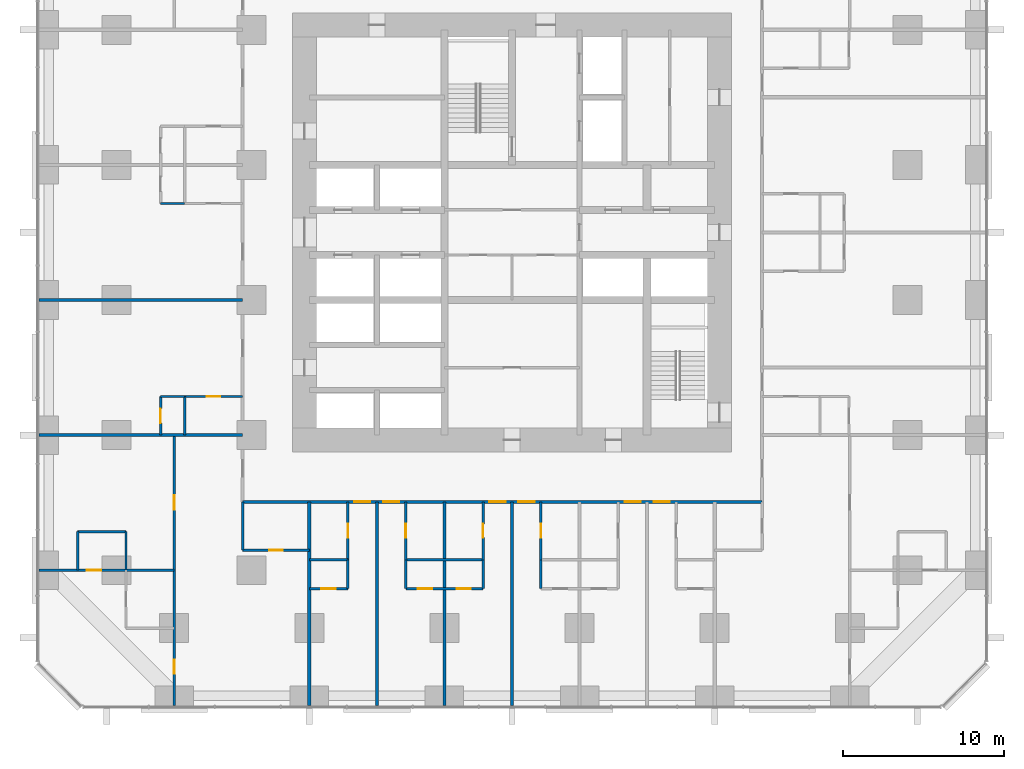
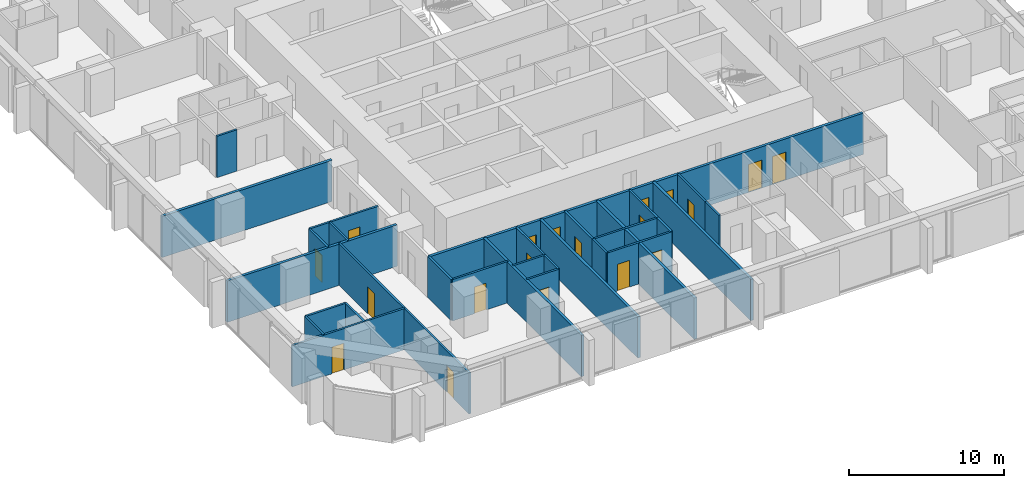
# One storey, part 11 of 17: 31 walls, 19 doors, 19 openings.
"""IFC4 building model written with IfcOpenShell, lengths in metres."""

import ifcopenshell
import ifcopenshell.guid

model = None  # the IFC model being written
_history = None  # IfcOwnerHistory: only IFC2X3 demands one
_inside = {}  # id of a spatial element -> (the spatial element, [elements in it])
_under = {}  # id of a project, library or spatial element -> (it, [spatial elements below it])
_declared = {}  # id of a project -> (the project, [libraries it declares])
_typed = {}  # id of a type object -> (the type object, [elements of that type])
_made_of = {}  # id of a material, layer set ... -> (it, [elements and type objects made of it])


def new_model(schema):
    """Start an empty IFC model of exactly this schema.

    Asked for "IFC4X3", IfcOpenShell would pick the latest addendum, in which some entities
    have other attributes; the version numbers below select the first issue.
    IFC2X3 requires an IfcOwnerHistory on every rooted entity: one is made here for all.
    """
    global model, _history
    if schema == "IFC4X3":
        model = ifcopenshell.file(schema_version=(4, 3, 0, 0))
    else:
        model = ifcopenshell.file(schema=schema)
    _inside.clear()
    _under.clear()
    _declared.clear()
    _typed.clear()
    _made_of.clear()
    _history = None
    if model.schema == "IFC2X3":
        org = make("IfcOrganization", Name="unknown")
        user = make(
            "IfcPersonAndOrganization",
            ThePerson=make("IfcPerson", FamilyName="unknown"),
            TheOrganization=org,
        )
        app = make(
            "IfcApplication",
            ApplicationDeveloper=org,
            Version="unknown",
            ApplicationFullName="unknown",
            ApplicationIdentifier="unknown",
        )
        _history = make(
            "IfcOwnerHistory",
            OwningUser=user,
            OwningApplication=app,
            ChangeAction="ADDED",
            CreationDate=0,
        )
    return model


def make(cls, **values):
    """One entity of the class cls with the attributes given. An attribute that is None is left unset."""
    return model.create_entity(
        cls, **{name: value for name, value in values.items() if value is not None}
    )


def rooted(cls, **values):
    """An entity with a GlobalId (a new one), such as an element, a storey or a relation."""
    return make(cls, GlobalId=ifcopenshell.guid.new(), OwnerHistory=_history, **values)


def si_unit(unit_type, name, prefix=None):
    """IfcSIUnit, for example si_unit("LENGTHUNIT", "METRE", prefix="MILLI")."""
    return make("IfcSIUnit", UnitType=unit_type, Prefix=prefix, Name=name)


def assignment(units):
    """IfcUnitAssignment: the units of a project."""
    return None if units is None else make("IfcUnitAssignment", Units=units)


def point(xyz):
    """IfcCartesianPoint."""
    return None if xyz is None else make("IfcCartesianPoint", Coordinates=xyz)


def direction(xyz):
    """IfcDirection."""
    return None if xyz is None else make("IfcDirection", DirectionRatios=xyz)


def frame(location, z_axis=None, x_axis=None):
    """IfcAxis2Placement3D, a coordinate frame: its origin and axes. An axis left out is left unset."""
    return make(
        "IfcAxis2Placement3D",
        Location=point(location),
        Axis=direction(z_axis),
        RefDirection=direction(x_axis),
    )


def frame_2d(location, x_axis=None):
    """IfcAxis2Placement2D, a coordinate frame in the plane: its origin and x axis."""
    return make(
        "IfcAxis2Placement2D", Location=point(location), RefDirection=direction(x_axis)
    )


def origin():
    """The frame at (0, 0, 0) with its axes left unset."""
    return frame((0.0, 0.0, 0.0))


def place(relative_to, where):
    """IfcLocalPlacement: puts the frame where relative to a parent placement (None: the world)."""
    return make(
        "IfcLocalPlacement", PlacementRelTo=relative_to, RelativePlacement=where
    )


def context(
    kind, dimensions, precision=None, world=None, true_north=None, identifier=None
):
    """IfcGeometricRepresentationContext, for example the 3D "Model" context."""
    return make(
        "IfcGeometricRepresentationContext",
        ContextIdentifier=identifier,
        ContextType=kind,
        CoordinateSpaceDimension=dimensions,
        Precision=precision,
        WorldCoordinateSystem=world,
        TrueNorth=true_north,
    )


def subcontext(parent, identifier, kind, view, scale=None):
    """IfcGeometricRepresentationSubContext, for example "Body" below "Model"."""
    return make(
        "IfcGeometricRepresentationSubContext",
        ContextIdentifier=identifier,
        ContextType=kind,
        ParentContext=parent,
        TargetScale=scale,
        TargetView=view,
    )


def project(units=None, contexts=None):
    """IfcProject with its units and contexts."""
    return rooted(
        "IfcProject",
        Name="project",
        RepresentationContexts=contexts,
        UnitsInContext=assignment(units),
    )


def spatial(cls, under=None, at=None, **own):
    """A site, building, storey or space (cls), placed at a placement, below another one or the project."""
    s = rooted(cls, ObjectPlacement=at, **own)
    if under is not None:
        _under.setdefault(under.id(), (under, []))[1].append(s)
    return s


def profile(cls, at=None, kind="AREA", **sizes):
    """A parametric profile (cls). Its sizes go by their IFC names, for example OverallWidth=200.0."""
    return make(cls, ProfileType=kind, Position=at, **sizes)


def rectangle(**sizes):
    """IfcRectangleProfileDef."""
    return profile("IfcRectangleProfileDef", **sizes)


def extrude(swept, where, along, depth):
    """IfcExtrudedAreaSolid: the profile swept, set in the frame where, extruded along a direction by depth."""
    return make(
        "IfcExtrudedAreaSolid",
        SweptArea=swept,
        Position=where,
        ExtrudedDirection=direction(along),
        Depth=depth,
    )


def shape(context_of_items, identifier, shape_type, items):
    """IfcShapeRepresentation: the items that make up one representation, for example the "Body"."""
    return make(
        "IfcShapeRepresentation",
        ContextOfItems=context_of_items,
        RepresentationIdentifier=identifier,
        RepresentationType=shape_type,
        Items=items,
    )


def material(Name=None, Category=None):
    """IfcMaterial."""
    return make("IfcMaterial", Name=Name, Category=Category)


def layer(
    of_material, thickness, ventilated=None, Name=None, Category=None, Priority=None
):
    """IfcMaterialLayer: one layer of a wall or slab, of a material (None: an air gap)."""
    return make(
        "IfcMaterialLayer",
        Material=of_material,
        LayerThickness=thickness,
        IsVentilated=ventilated,
        Name=Name,
        Category=Category,
        Priority=Priority,
    )


def layer_set(layers, Name=None):
    """IfcMaterialLayerSet."""
    return make("IfcMaterialLayerSet", MaterialLayers=layers, LayerSetName=Name)


def made_of(thing, what):
    """Note that an element or type object is made of a material, layer set ...; save() writes the relation."""
    if what is not None:
        _made_of.setdefault(what.id(), (what, []))[1].append(thing)
    return thing


def type_object(cls, material=None, **own):
    """A type object (cls), such as IfcWallType, which elements share."""
    return made_of(rooted(cls, **own), material)


def element(
    cls,
    number,
    at=None,
    inside=None,
    cuts=None,
    type_object=None,
    material=None,
    context=None,
    identifier="Body",
    shape_type=None,
    held_by="IfcProductDefinitionShape",
    body=None,
    shapes=None,
    **own,
):
    """One element of the class cls, such as IfcWall. Its Tag is "e" and its number.

    at: its placement. inside: the storey or other place that contains it. cuts: it is an
    opening in that element (IfcRelVoidsElement). A single representation is given by context,
    identifier, shape_type and body (its items); several are given by shapes. held_by: the class
    of the entity that holds the representations. save() writes the other relations.
    """
    e = rooted(cls, Tag="e%d" % number, ObjectPlacement=at, **own)
    if body is not None:
        shapes = [shape(context, identifier, shape_type, body)]
    if shapes is not None:
        e.Representation = make(held_by, Representations=shapes)
    if inside is not None:
        _inside.setdefault(inside.id(), (inside, []))[1].append(e)
    if cuts is not None:
        rooted(
            "IfcRelVoidsElement", RelatingBuildingElement=cuts, RelatedOpeningElement=e
        )
    if type_object is not None:
        _typed.setdefault(type_object.id(), (type_object, []))[1].append(e)
    return made_of(e, material)


def fill(opening, filler):
    """IfcRelFillsElement: the door or window that sits in an opening."""
    return rooted(
        "IfcRelFillsElement",
        RelatingOpeningElement=opening,
        RelatedBuildingElement=filler,
    )


def aggregate(whole, parts):
    """IfcRelAggregates: a whole, such as a stair, and the parts it consists of."""
    return rooted("IfcRelAggregates", RelatingObject=whole, RelatedObjects=parts)


def save(model, path):
    """Write the relations noted so far, then the file.

    IfcRelAggregates (storeys below a building ...), IfcRelContainedInSpatialStructure (elements
    in a storey), IfcRelDefinesByType, IfcRelAssociatesMaterial and IfcRelDeclares: one each for
    every whole, place, type object, material and project.
    """
    for whole, parts in _under.values():
        aggregate(whole, parts)
    for where, things in _inside.values():
        rooted(
            "IfcRelContainedInSpatialStructure",
            RelatedElements=things,
            RelatingStructure=where,
        )
    for kind, things in _typed.values():
        rooted("IfcRelDefinesByType", RelatedObjects=things, RelatingType=kind)
    for what, things in _made_of.values():
        rooted("IfcRelAssociatesMaterial", RelatedObjects=things, RelatingMaterial=what)
    for by, libraries in _declared.values():
        rooted("IfcRelDeclares", RelatingContext=by, RelatedDefinitions=libraries)
    model.write(path)


model = new_model("IFC4")

# Units and contexts
model_context = context("Model", 3, precision=1e-05, world=origin(), true_north=direction((0.0, 1.0)))
body_context = subcontext(model_context, "Body", "Model", "MODEL_VIEW")
ifc_project = project(units=[si_unit("LENGTHUNIT", "METRE"), si_unit("AREAUNIT", "SQUARE_METRE"), si_unit("VOLUMEUNIT", "CUBIC_METRE"), si_unit("PLANEANGLEUNIT", "RADIAN"), si_unit("MASSUNIT", "GRAM", prefix="KILO")], contexts=[model_context])

# Site, building, storey
site_placement = place(None, origin())
site = spatial("IfcSite", under=ifc_project, at=site_placement, CompositionType="ELEMENT")
building_placement = place(site_placement, origin())
building = spatial("IfcBuilding", under=site, at=building_placement, Name="Dunama Terrace Hotel", CompositionType="ELEMENT")
storey_placement = place(building_placement, frame((0.0, 0.0, 70.199951171875)))
storey = spatial("IfcBuildingStorey", under=building, at=storey_placement, Name="L17", CompositionType="ELEMENT", Elevation=70.199951171875)

# Wall
ifc_material_1 = material(Name="Gypsum board partition", Category="masonry")
ifc_layer_1 = layer(ifc_material_1, 0.14990234375)
ifc_layer_set_1 = layer_set([ifc_layer_1], Name="Bathroom partition 150")
wall_type_1 = type_object("IfcWallType", Name="Bathroom partition 150", PredefinedType="PARTITIONING", material=ifc_layer_set_1)
wall_1_placement = place(storey_placement, frame((12.64990234375, 9.64990234375, 0.0), z_axis=(0.0, 0.0, 1.0), x_axis=(0.0, 1.0, 0.0)))
element("IfcWall", 1, at=wall_1_placement, inside=storey, type_object=wall_type_1, Name="Bathroom partition 150 L17", PredefinedType="PARTITIONING", context=body_context, shape_type="SweptSolid", body=[
    extrude(rectangle(XDim=3.0, YDim=0.14990234375, at=frame_2d((1.5, 0.0))), origin(), (0.0, 0.0, 1.0), 3.25),
])

# Wall, opening, door
wall_2_placement = place(storey_placement, frame((19.199951171875, 9.050048828125, 0.0), z_axis=(0.0, 0.0, 1.0), x_axis=(0.0, 1.0, 0.0)))
wall_2 = element("IfcWall", 2, at=wall_2_placement, inside=storey, type_object=wall_type_1, Name="Bathroom partition 150 L17", PredefinedType="PARTITIONING", context=body_context, shape_type="SweptSolid", body=[
    extrude(rectangle(XDim=3.599853515625, YDim=0.14990234375, at=frame_2d((1.7998046875, 0.0))), origin(), (0.0, 0.0, 1.0), 3.25),
])
opening_1_placement = place(wall_2_placement, frame((1.375, 0.0, 0.0)))
opening_1 = element("IfcOpeningElement", 3, at=opening_1_placement, cuts=wall_2, Name="Opening L17-19-010", PredefinedType="OPENING", context=body_context, shape_type="SweptSolid", body=[
    extrude(rectangle(XDim=0.85009765625, YDim=2.10009765625, at=frame_2d((0.425048828125, 1.050048828125))), frame((0.0, 0.0849609375, 0.0), z_axis=(0.0, -1.0, 0.0), x_axis=(1.0, 0.0, 0.0)), (0.0, 0.0, 1.0), 0.169921875),
])
ifc_material_2 = material(Name="Timber door with steel frame", Category="steel")
door_type_1 = type_object("IfcDoorType", Name="Bathroom door 850", OperationType="SINGLE_SWING_LEFT", PredefinedType="DOOR", material=ifc_material_2)
door_1_placement = place(opening_1_placement, origin())
door_1 = element("IfcDoor", 4, at=door_1_placement, inside=storey, type_object=door_type_1, Name="Door to en-suite bathroom L17-19-010, type D2", OperationType="SINGLE_SWING_RIGHT", OverallHeight=2.10009765625, OverallWidth=0.85009765625, PredefinedType="DOOR", context=body_context, shape_type="SweptSolid", body=[
    extrude(rectangle(XDim=0.85009765625, YDim=2.10009765625, at=frame_2d((0.425048828125, 1.050048828125))), frame((0.0, 0.02490234375, 0.0), z_axis=(0.0, -1.0, 0.0), x_axis=(1.0, 0.0, 0.0)), (0.0, 0.0, 1.0), 0.050048828125),
])
fill(opening_1, door_1)

wall_3_placement = place(storey_placement, frame((22.800048828125, 9.050048828125, 0.0), z_axis=(0.0, 0.0, 1.0), x_axis=(0.0, 1.0, 0.0)))
wall_3 = element("IfcWall", 5, at=wall_3_placement, inside=storey, type_object=wall_type_1, Name="Bathroom partition 150 L17", PredefinedType="PARTITIONING", context=body_context, shape_type="SweptSolid", body=[
    extrude(rectangle(XDim=3.599853515625, YDim=0.14990234375, at=frame_2d((1.7998046875, 0.0))), origin(), (0.0, 0.0, 1.0), 3.25),
])
opening_2_placement = place(wall_3_placement, frame((1.375, 0.0, 0.0)))
opening_2 = element("IfcOpeningElement", 6, at=opening_2_placement, cuts=wall_3, Name="Opening L17-19-013", PredefinedType="OPENING", context=body_context, shape_type="SweptSolid", body=[
    extrude(rectangle(XDim=0.85009765625, YDim=2.10009765625, at=frame_2d((0.425048828125, 1.050048828125))), frame((0.0, 0.0849609375, 0.0), z_axis=(0.0, -1.0, 0.0), x_axis=(1.0, 0.0, 0.0)), (0.0, 0.0, 1.0), 0.169921875),
])
door_2_placement = place(opening_2_placement, frame((0.85009765625, 0.0, 0.0), z_axis=(0.0, 0.0, 1.0), x_axis=(-1.0, 0.0, 0.0)))
door_2 = element("IfcDoor", 7, at=door_2_placement, inside=storey, type_object=door_type_1, Name="Door to en-suite bathroom L17-19-013, type D2", OperationType="SINGLE_SWING_LEFT", OverallHeight=2.10009765625, OverallWidth=0.85009765625, PredefinedType="DOOR", context=body_context, shape_type="SweptSolid", body=[
    extrude(rectangle(XDim=0.85009765625, YDim=2.10009765625, at=frame_2d((0.425048828125, 1.050048828125))), frame((0.0, 0.025146484375, 0.0), z_axis=(0.0, -1.0, 0.0), x_axis=(1.0, 0.0, 0.0)), (0.0, 0.0, 1.0), 0.050048828125),
])
fill(opening_2, door_2)

wall_4_placement = place(storey_placement, frame((27.60009765625, 9.050048828125, 0.0), z_axis=(0.0, 0.0, 1.0), x_axis=(0.0, 1.0, 0.0)))
wall_4 = element("IfcWall", 8, at=wall_4_placement, inside=storey, type_object=wall_type_1, Name="Bathroom partition 150 L17", PredefinedType="PARTITIONING", context=body_context, shape_type="SweptSolid", body=[
    extrude(rectangle(XDim=3.599853515625, YDim=0.14990234375, at=frame_2d((1.7998046875, 0.0))), origin(), (0.0, 0.0, 1.0), 3.25),
])
opening_3_placement = place(wall_4_placement, frame((1.375, 0.0, 0.0)))
opening_3 = element("IfcOpeningElement", 9, at=opening_3_placement, cuts=wall_4, Name="Opening L17-19-016", PredefinedType="OPENING", context=body_context, shape_type="SweptSolid", body=[
    extrude(rectangle(XDim=0.85009765625, YDim=2.10009765625, at=frame_2d((0.425048828125, 1.050048828125))), frame((0.0, 0.0849609375, 0.0), z_axis=(0.0, -1.0, 0.0), x_axis=(1.0, 0.0, 0.0)), (0.0, 0.0, 1.0), 0.169921875),
])
door_3_placement = place(opening_3_placement, origin())
door_3 = element("IfcDoor", 10, at=door_3_placement, inside=storey, type_object=door_type_1, Name="Door to en-suite bathroom L17-19-016, type D2", OperationType="SINGLE_SWING_RIGHT", OverallHeight=2.10009765625, OverallWidth=0.85009765625, PredefinedType="DOOR", context=body_context, shape_type="SweptSolid", body=[
    extrude(rectangle(XDim=0.85009765625, YDim=2.10009765625, at=frame_2d((0.425048828125, 1.050048828125))), frame((0.0, 0.02490234375, 0.0), z_axis=(0.0, -1.0, 0.0), x_axis=(1.0, 0.0, 0.0)), (0.0, 0.0, 1.0), 0.050048828125),
])
fill(opening_3, door_3)

wall_5_placement = place(storey_placement, frame((31.199951171875, 9.050048828125, 0.0), z_axis=(0.0, 0.0, 1.0), x_axis=(0.0, 1.0, 0.0)))
wall_5 = element("IfcWall", 11, at=wall_5_placement, inside=storey, type_object=wall_type_1, Name="Bathroom partition 150 L17", PredefinedType="PARTITIONING", context=body_context, shape_type="SweptSolid", body=[
    extrude(rectangle(XDim=3.599853515625, YDim=0.14990234375, at=frame_2d((1.7998046875, 0.0))), origin(), (0.0, 0.0, 1.0), 3.25),
])
opening_4_placement = place(wall_5_placement, frame((1.375, 0.0, 0.0)))
opening_4 = element("IfcOpeningElement", 12, at=opening_4_placement, cuts=wall_5, Name="Opening L17-19-019", PredefinedType="OPENING", context=body_context, shape_type="SweptSolid", body=[
    extrude(rectangle(XDim=0.85009765625, YDim=2.10009765625, at=frame_2d((0.425048828125, 1.050048828125))), frame((0.0, 0.0849609375, 0.0), z_axis=(0.0, -1.0, 0.0), x_axis=(1.0, 0.0, 0.0)), (0.0, 0.0, 1.0), 0.169921875),
])
door_4_placement = place(opening_4_placement, frame((0.85009765625, 0.0, 0.0), z_axis=(0.0, 0.0, 1.0), x_axis=(-1.0, 0.0, 0.0)))
door_4 = element("IfcDoor", 13, at=door_4_placement, inside=storey, type_object=door_type_1, Name="Door to en-suite bathroom L17-19-019, type D2", OperationType="SINGLE_SWING_LEFT", OverallHeight=2.10009765625, OverallWidth=0.85009765625, PredefinedType="DOOR", context=body_context, shape_type="SweptSolid", body=[
    extrude(rectangle(XDim=0.85009765625, YDim=2.10009765625, at=frame_2d((0.425048828125, 1.050048828125))), frame((0.0, 0.025146484375, 0.0), z_axis=(0.0, -1.0, 0.0), x_axis=(1.0, 0.0, 0.0)), (0.0, 0.0, 1.0), 0.050048828125),
])
fill(opening_4, door_4)

wall_6_placement = place(storey_placement, frame((12.64990234375, 9.64990234375, 0.0), z_axis=(0.0, 0.0, 1.0), x_axis=(1.0, 0.0, 0.0)))
wall_6 = element("IfcWall", 14, at=wall_6_placement, inside=storey, type_object=wall_type_1, Name="Bathroom partition 150 L17", PredefinedType="PARTITIONING", context=body_context, shape_type="SweptSolid", body=[
    extrude(rectangle(XDim=4.150146484375, YDim=0.14990234375, at=frame_2d((2.0751953125, 0.0))), origin(), (0.0, 0.0, 1.0), 3.25),
])
opening_5_placement = place(wall_6_placement, frame((1.64990234375, 0.0, 0.0)))
opening_5 = element("IfcOpeningElement", 15, at=opening_5_placement, cuts=wall_6, Name="Opening L17-19-061", PredefinedType="OPENING", context=body_context, shape_type="SweptSolid", body=[
    extrude(rectangle(XDim=0.85009765625, YDim=2.10009765625, at=frame_2d((0.425048828125, 1.050048828125))), frame((0.0, 0.0849609375, 0.0), z_axis=(0.0, -1.0, 0.0), x_axis=(1.0, 0.0, 0.0)), (0.0, 0.0, 1.0), 0.169921875),
])
door_5_placement = place(opening_5_placement, origin())
door_5 = element("IfcDoor", 16, at=door_5_placement, inside=storey, type_object=door_type_1, Name="Door to powder room L17-19-061, type D2", OperationType="SINGLE_SWING_LEFT", OverallHeight=2.10009765625, OverallWidth=0.85009765625, PredefinedType="DOOR", context=body_context, shape_type="SweptSolid", body=[
    extrude(rectangle(XDim=0.85009765625, YDim=2.10009765625, at=frame_2d((0.425048828125, 1.050048828125))), frame((0.0, 0.02490234375, 0.0), z_axis=(0.0, -1.0, 0.0), x_axis=(1.0, 0.0, 0.0)), (0.0, 0.0, 1.0), 0.050048828125),
])
fill(opening_5, door_5)

wall_7_placement = place(storey_placement, frame((9.050048828125, 19.199951171875, 0.0), z_axis=(0.0, 0.0, 1.0), x_axis=(1.0, 0.0, 0.0)))
wall_7 = element("IfcWall", 17, at=wall_7_placement, inside=storey, type_object=wall_type_1, Name="Bathroom partition 150 L17", PredefinedType="PARTITIONING", context=body_context, shape_type="SweptSolid", body=[
    extrude(rectangle(XDim=3.599853515625, YDim=0.14990234375, at=frame_2d((1.7998046875, 0.0))), origin(), (0.0, 0.0, 1.0), 3.25),
])
opening_6_placement = place(wall_7_placement, frame((1.375, 0.0, 0.0)))
opening_6 = element("IfcOpeningElement", 18, at=opening_6_placement, cuts=wall_7, Name="Opening L17-19-052", PredefinedType="OPENING", context=body_context, shape_type="SweptSolid", body=[
    extrude(rectangle(XDim=0.85009765625, YDim=2.10009765625, at=frame_2d((0.425048828125, 1.050048828125))), frame((0.0, 0.0849609375, 0.0), z_axis=(0.0, -1.0, 0.0), x_axis=(1.0, 0.0, 0.0)), (0.0, 0.0, 1.0), 0.169921875),
])
door_6_placement = place(opening_6_placement, frame((0.85009765625, 0.0, 0.0), z_axis=(0.0, 0.0, 1.0), x_axis=(-1.0, 0.0, 0.0)))
door_6 = element("IfcDoor", 19, at=door_6_placement, inside=storey, type_object=door_type_1, Name="Door to en-suite bathroom L17-19-052, type D2", OperationType="SINGLE_SWING_LEFT", OverallHeight=2.10009765625, OverallWidth=0.85009765625, PredefinedType="DOOR", context=body_context, shape_type="SweptSolid", body=[
    extrude(rectangle(XDim=0.85009765625, YDim=2.10009765625, at=frame_2d((0.425048828125, 1.050048828125))), frame((0.0, 0.025146484375, 0.0), z_axis=(0.0, -1.0, 0.0), x_axis=(1.0, 0.0, 0.0)), (0.0, 0.0, 1.0), 0.050048828125),
])
fill(opening_6, door_6)

# Wall, openings, doors
ifc_material_3 = material(Name="Concrete blockwork", Category="masonry")
ifc_layer_2 = layer(ifc_material_3, 0.199951171875)
ifc_layer_set_2 = layer_set([ifc_layer_2], Name="Corridor partition 200")
wall_type_2 = type_object("IfcWallType", Name="Corridor partition 200", PredefinedType="PARTITIONING", material=ifc_layer_set_2)
wall_8_placement = place(storey_placement, frame((44.949951171875, 12.64990234375, 0.0), z_axis=(0.0, 0.0, 1.0), x_axis=(-1.0, 0.0, 0.0)))
wall_8 = element("IfcWall", 20, at=wall_8_placement, inside=storey, type_object=wall_type_2, Name="Corridor partition 200 L17", PredefinedType="PARTITIONING", context=body_context, shape_type="SweptSolid", body=[
    extrude(rectangle(XDim=32.300048828125, YDim=0.199951171875, at=frame_2d((16.14990234375, 0.0))), origin(), (0.0, 0.0, 1.0), 3.25),
])
opening_7_placement = place(wall_8_placement, frame((24.35009765625, 0.0, 0.0)))
opening_7 = element("IfcOpeningElement", 21, at=opening_7_placement, cuts=wall_8, Name="Opening L17-19-009", PredefinedType="OPENING", context=body_context, shape_type="SweptSolid", body=[
    extrude(rectangle(XDim=1.0, YDim=2.199951171875, at=frame_2d((0.5, 1.10009765625))), frame((0.0, 0.10986328125, 0.0), z_axis=(0.0, -1.0, 0.0), x_axis=(1.0, 0.0, 0.0)), (0.0, 0.0, 1.0), 0.219970703125),
])
opening_8_placement = place(wall_8_placement, frame((22.550048828125, 0.0, 0.0)))
opening_8 = element("IfcOpeningElement", 22, at=opening_8_placement, cuts=wall_8, Name="Opening L17-19-012", PredefinedType="OPENING", context=body_context, shape_type="SweptSolid", body=[
    extrude(rectangle(XDim=1.0, YDim=2.199951171875, at=frame_2d((0.5, 1.10009765625))), frame((0.0, 0.10986328125, 0.0), z_axis=(0.0, -1.0, 0.0), x_axis=(1.0, 0.0, 0.0)), (0.0, 0.0, 1.0), 0.219970703125),
])
opening_9_placement = place(wall_8_placement, frame((15.949951171875, 0.0, 0.0)))
opening_9 = element("IfcOpeningElement", 23, at=opening_9_placement, cuts=wall_8, Name="Opening L17-19-015", PredefinedType="OPENING", context=body_context, shape_type="SweptSolid", body=[
    extrude(rectangle(XDim=1.0, YDim=2.199951171875, at=frame_2d((0.5, 1.10009765625))), frame((0.0, 0.10986328125, 0.0), z_axis=(0.0, -1.0, 0.0), x_axis=(1.0, 0.0, 0.0)), (0.0, 0.0, 1.0), 0.219970703125),
])
opening_10_placement = place(wall_8_placement, frame((14.14990234375, 0.0, 0.0)))
opening_10 = element("IfcOpeningElement", 24, at=opening_10_placement, cuts=wall_8, Name="Opening L17-19-018", PredefinedType="OPENING", context=body_context, shape_type="SweptSolid", body=[
    extrude(rectangle(XDim=1.0, YDim=2.199951171875, at=frame_2d((0.5, 1.10009765625))), frame((0.0, 0.10986328125, 0.0), z_axis=(0.0, -1.0, 0.0), x_axis=(1.0, 0.0, 0.0)), (0.0, 0.0, 1.0), 0.219970703125),
])
opening_11_placement = place(wall_8_placement, frame((7.550048828125, 0.0, 0.0)))
opening_11 = element("IfcOpeningElement", 25, at=opening_11_placement, cuts=wall_8, Name="Opening L17-19-021", PredefinedType="OPENING", context=body_context, shape_type="SweptSolid", body=[
    extrude(rectangle(XDim=1.0, YDim=2.199951171875, at=frame_2d((0.5, 1.10009765625))), frame((0.0, 0.10986328125, 0.0), z_axis=(0.0, -1.0, 0.0), x_axis=(1.0, 0.0, 0.0)), (0.0, 0.0, 1.0), 0.219970703125),
])
opening_12_placement = place(wall_8_placement, frame((5.75, 0.0, 0.0)))
opening_12 = element("IfcOpeningElement", 26, at=opening_12_placement, cuts=wall_8, Name="Opening L17-19-024", PredefinedType="OPENING", context=body_context, shape_type="SweptSolid", body=[
    extrude(rectangle(XDim=1.0, YDim=2.199951171875, at=frame_2d((0.5, 1.10009765625))), frame((0.0, 0.10986328125, 0.0), z_axis=(0.0, -1.0, 0.0), x_axis=(1.0, 0.0, 0.0)), (0.0, 0.0, 1.0), 0.219970703125),
])
ifc_material_4 = material(Name="Timber door with steel frame", Category="steel")
door_type_2 = type_object("IfcDoorType", Name="Guest room door 1000", OperationType="SINGLE_SWING_LEFT", PredefinedType="DOOR", material=ifc_material_4)
door_7_placement = place(opening_7_placement, origin())
door_7 = element("IfcDoor", 27, at=door_7_placement, inside=storey, type_object=door_type_2, Name="Door to deluxe room L17-19-009, type D1", OperationType="SINGLE_SWING_LEFT", OverallHeight=2.199951171875, OverallWidth=1.0, PredefinedType="DOOR", context=body_context, shape_type="SweptSolid", body=[
    extrude(rectangle(XDim=1.0, YDim=2.199951171875, at=frame_2d((0.5, 1.10009765625))), frame((0.0, 0.02490234375, 0.0), z_axis=(0.0, -1.0, 0.0), x_axis=(1.0, 0.0, 0.0)), (0.0, 0.0, 1.0), 0.050048828125),
])
fill(opening_7, door_7)
door_8_placement = place(opening_8_placement, origin())
door_8 = element("IfcDoor", 28, at=door_8_placement, inside=storey, type_object=door_type_2, Name="Door to deluxe room L17-19-012, type D1", OperationType="SINGLE_SWING_RIGHT", OverallHeight=2.199951171875, OverallWidth=1.0, PredefinedType="DOOR", context=body_context, shape_type="SweptSolid", body=[
    extrude(rectangle(XDim=1.0, YDim=2.199951171875, at=frame_2d((0.5, 1.10009765625))), frame((0.0, 0.02490234375, 0.0), z_axis=(0.0, -1.0, 0.0), x_axis=(1.0, 0.0, 0.0)), (0.0, 0.0, 1.0), 0.050048828125),
])
fill(opening_8, door_8)
door_9_placement = place(opening_9_placement, origin())
door_9 = element("IfcDoor", 29, at=door_9_placement, inside=storey, type_object=door_type_2, Name="Door to deluxe room L17-19-015, type D1", OperationType="SINGLE_SWING_LEFT", OverallHeight=2.199951171875, OverallWidth=1.0, PredefinedType="DOOR", context=body_context, shape_type="SweptSolid", body=[
    extrude(rectangle(XDim=1.0, YDim=2.199951171875, at=frame_2d((0.5, 1.10009765625))), frame((0.0, 0.02490234375, 0.0), z_axis=(0.0, -1.0, 0.0), x_axis=(1.0, 0.0, 0.0)), (0.0, 0.0, 1.0), 0.050048828125),
])
fill(opening_9, door_9)
door_10_placement = place(opening_10_placement, origin())
door_10 = element("IfcDoor", 30, at=door_10_placement, inside=storey, type_object=door_type_2, Name="Door to deluxe room L17-19-018, type D1", OperationType="SINGLE_SWING_RIGHT", OverallHeight=2.199951171875, OverallWidth=1.0, PredefinedType="DOOR", context=body_context, shape_type="SweptSolid", body=[
    extrude(rectangle(XDim=1.0, YDim=2.199951171875, at=frame_2d((0.5, 1.10009765625))), frame((0.0, 0.02490234375, 0.0), z_axis=(0.0, -1.0, 0.0), x_axis=(1.0, 0.0, 0.0)), (0.0, 0.0, 1.0), 0.050048828125),
])
fill(opening_10, door_10)
door_11_placement = place(opening_11_placement, origin())
door_11 = element("IfcDoor", 31, at=door_11_placement, inside=storey, type_object=door_type_2, Name="Door to deluxe room L17-19-021, type D1", OperationType="SINGLE_SWING_LEFT", OverallHeight=2.199951171875, OverallWidth=1.0, PredefinedType="DOOR", context=body_context, shape_type="SweptSolid", body=[
    extrude(rectangle(XDim=1.0, YDim=2.199951171875, at=frame_2d((0.5, 1.10009765625))), frame((0.0, 0.02490234375, 0.0), z_axis=(0.0, -1.0, 0.0), x_axis=(1.0, 0.0, 0.0)), (0.0, 0.0, 1.0), 0.050048828125),
])
fill(opening_11, door_11)
door_12_placement = place(opening_12_placement, origin())
door_12 = element("IfcDoor", 32, at=door_12_placement, inside=storey, type_object=door_type_2, Name="Door to deluxe room L17-19-024, type D1", OperationType="SINGLE_SWING_RIGHT", OverallHeight=2.199951171875, OverallWidth=1.0, PredefinedType="DOOR", context=body_context, shape_type="SweptSolid", body=[
    extrude(rectangle(XDim=1.0, YDim=2.199951171875, at=frame_2d((0.5, 1.10009765625))), frame((0.0, 0.02490234375, 0.0), z_axis=(0.0, -1.0, 0.0), x_axis=(1.0, 0.0, 0.0)), (0.0, 0.0, 1.0), 0.050048828125),
])
fill(opening_12, door_12)

# Walls
ifc_material_5 = material(Name="Concrete blockwork", Category="masonry")
ifc_layer_3 = layer(ifc_material_5, 0.199951171875)
ifc_layer_set_3 = layer_set([ifc_layer_3], Name="Party wall 200")
wall_type_3 = type_object("IfcWallType", Name="Party wall 200", PredefinedType="PARTITIONING", material=ifc_layer_set_3)
for number, where, z_axis, x_axis, name in (
    (33, (16.800048828125, -0.008056640625, 0.0), (0.0, 0.0, 1.0), (0.0, 1.0, 0.0), "Party wall 200 L17"),
    (34, (21.0, -0.008056640625, 0.0), (0.0, 0.0, 1.0), (0.0, 1.0, 0.0), "Party wall 200 L17"),
    (35, (25.199951171875, -0.008056640625, 0.0), (0.0, 0.0, 1.0), (0.0, 1.0, 0.0), "Party wall 200 L17"),
    (36, (29.39990234375, -0.008056640625, 0.0), (0.0, 0.0, 1.0), (0.0, 1.0, 0.0), "Party wall 200 L17"),
    (37, (-0.008056640625, 16.800048828125, 0.0), (0.0, 0.0, 1.0), (1.0, 0.0, 0.0), "Party wall 200 L17"),
    (38, (-0.008056640625, 25.199951171875, 0.0), (0.0, 0.0, 1.0), (1.0, 0.0, 0.0), "Party wall 200 L17"),
):
    element("IfcWall", number, at=place(storey_placement, frame(where, z_axis=z_axis, x_axis=x_axis)), inside=storey, type_object=wall_type_3, Name=name, PredefinedType="PARTITIONING", context=body_context, shape_type="SweptSolid", body=[
        extrude(rectangle(XDim=12.657958984375, YDim=0.199951171875, at=frame_2d((6.3291015625, 0.0))), origin(), (0.0, 0.0, 1.0), 3.25),
    ])
ifc_material_6 = material(Name="Gypsum board partition", Category="masonry")
ifc_layer_4 = layer(ifc_material_6, 0.14990234375)
ifc_layer_set_4 = layer_set([ifc_layer_4], Name="Room partition 150")
wall_type_4 = type_object("IfcWallType", Name="Room partition 150", PredefinedType="PARTITIONING", material=ifc_layer_set_4)
for number, where, z_axis, x_axis, name in (
    (39, (2.39990234375, 8.39990234375, 0.0), (0.0, 0.0, 1.0), (0.0, 1.0, 0.0), "Room partition 150 L17"),
    (40, (5.39990234375, 8.39990234375, 0.0), (0.0, 0.0, 1.0), (0.0, 1.0, 0.0), "Room partition 150 L17"),
):
    element("IfcWall", number, at=place(storey_placement, frame(where, z_axis=z_axis, x_axis=x_axis)), inside=storey, type_object=wall_type_4, Name=name, PredefinedType="PARTITIONING", context=body_context, shape_type="SweptSolid", body=[
        extrude(rectangle(XDim=2.400146484375, YDim=0.14990234375, at=frame_2d((1.2001953125, 0.0))), origin(), (0.0, 0.0, 1.0), 3.25),
    ])

# Wall, opening, door
wall_9_placement = place(storey_placement, frame((7.550048828125, 16.800048828125, 0.0), z_axis=(0.0, 0.0, 1.0), x_axis=(0.0, 1.0, 0.0)))
wall_9 = element("IfcWall", 41, at=wall_9_placement, inside=storey, type_object=wall_type_4, Name="Room partition 150 L17", PredefinedType="PARTITIONING", context=body_context, shape_type="SweptSolid", body=[
    extrude(rectangle(XDim=2.39990234375, YDim=0.14990234375, at=frame_2d((1.199951171875, 0.0))), origin(), (0.0, 0.0, 1.0), 3.25),
])
opening_13_placement = place(wall_9_placement, frame((0.75, 0.0, 0.0)))
opening_13 = element("IfcOpeningElement", 42, at=opening_13_placement, cuts=wall_9, Name="Opening L17-19-053", PredefinedType="OPENING", context=body_context, shape_type="SweptSolid", body=[
    extrude(rectangle(XDim=0.89990234375, YDim=2.10009765625, at=frame_2d((0.449951171875, 1.050048828125))), frame((0.0, 0.0849609375, 0.0), z_axis=(0.0, -1.0, 0.0), x_axis=(1.0, 0.0, 0.0)), (0.0, 0.0, 1.0), 0.169921875),
])
ifc_material_7 = material(Name="Timber door with steel frame", Category="steel")
door_type_3 = type_object("IfcDoorType", Name="Suite internal door 900", OperationType="SINGLE_SWING_LEFT", PredefinedType="DOOR", material=ifc_material_7)
door_13_placement = place(opening_13_placement, frame((0.89990234375, 0.0, 0.0), z_axis=(0.0, 0.0, 1.0), x_axis=(-1.0, 0.0, 0.0)))
door_13 = element("IfcDoor", 43, at=door_13_placement, inside=storey, type_object=door_type_3, Name="Door to walk-in wardrobe L17-19-053, type D16", OperationType="SINGLE_SWING_RIGHT", OverallHeight=2.10009765625, OverallWidth=0.89990234375, PredefinedType="DOOR", context=body_context, shape_type="SweptSolid", body=[
    extrude(rectangle(XDim=0.89990234375, YDim=2.10009765625, at=frame_2d((0.449951171875, 1.050048828125))), frame((0.0, 0.025146484375, 0.0), z_axis=(0.0, -1.0, 0.0), x_axis=(1.0, 0.0, 0.0)), (0.0, 0.0, 1.0), 0.050048828125),
])
fill(opening_13, door_13)

# Wall, openings, doors
wall_10_placement = place(storey_placement, frame((8.39990234375, -0.008056640625, 0.0), z_axis=(0.0, 0.0, 1.0), x_axis=(0.0, 1.0, 0.0)))
wall_10 = element("IfcWall", 44, at=wall_10_placement, inside=storey, type_object=wall_type_4, Name="Room partition 150 L17", PredefinedType="PARTITIONING", context=body_context, shape_type="SweptSolid", body=[
    extrude(rectangle(XDim=16.80810546875, YDim=0.14990234375, at=frame_2d((8.404052734375, 0.0))), origin(), (0.0, 0.0, 1.0), 3.25),
])
opening_14_placement = place(wall_10_placement, frame((1.9580078125, 0.0, 0.0)))
opening_14 = element("IfcOpeningElement", 45, at=opening_14_placement, cuts=wall_10, Name="Opening L17-19-062", PredefinedType="OPENING", context=body_context, shape_type="SweptSolid", body=[
    extrude(rectangle(XDim=0.89990234375, YDim=2.10009765625, at=frame_2d((0.449951171875, 1.050048828125))), frame((0.0, 0.0849609375, 0.0), z_axis=(0.0, -1.0, 0.0), x_axis=(1.0, 0.0, 0.0)), (0.0, 0.0, 1.0), 0.169921875),
])
opening_15_placement = place(wall_10_placement, frame((12.157958984375, 0.0, 0.0)))
opening_15 = element("IfcOpeningElement", 46, at=opening_15_placement, cuts=wall_10, Name="Opening L17-19-065", PredefinedType="OPENING", context=body_context, shape_type="SweptSolid", body=[
    extrude(rectangle(XDim=0.89990234375, YDim=2.10009765625, at=frame_2d((0.449951171875, 1.050048828125))), frame((0.0, 0.0849609375, 0.0), z_axis=(0.0, -1.0, 0.0), x_axis=(1.0, 0.0, 0.0)), (0.0, 0.0, 1.0), 0.169921875),
])
door_14_placement = place(opening_14_placement, origin())
door_14 = element("IfcDoor", 47, at=door_14_placement, inside=storey, type_object=door_type_3, Name="Door to corner suite bedroom L17-19-062, type D16", OperationType="SINGLE_SWING_LEFT", OverallHeight=2.10009765625, OverallWidth=0.89990234375, PredefinedType="DOOR", context=body_context, shape_type="SweptSolid", body=[
    extrude(rectangle(XDim=0.89990234375, YDim=2.10009765625, at=frame_2d((0.449951171875, 1.050048828125))), frame((0.0, 0.02490234375, 0.0), z_axis=(0.0, -1.0, 0.0), x_axis=(1.0, 0.0, 0.0)), (0.0, 0.0, 1.0), 0.050048828125),
])
fill(opening_14, door_14)
door_15_placement = place(opening_15_placement, origin())
door_15 = element("IfcDoor", 48, at=door_15_placement, inside=storey, type_object=door_type_3, Name="Door to corner suite study L17-19-065, type D16", OperationType="SINGLE_SWING_LEFT", OverallHeight=2.10009765625, OverallWidth=0.89990234375, PredefinedType="DOOR", context=body_context, shape_type="SweptSolid", body=[
    extrude(rectangle(XDim=0.89990234375, YDim=2.10009765625, at=frame_2d((0.449951171875, 1.050048828125))), frame((0.0, 0.02490234375, 0.0), z_axis=(0.0, -1.0, 0.0), x_axis=(1.0, 0.0, 0.0)), (0.0, 0.0, 1.0), 0.050048828125),
])
fill(opening_15, door_15)

# Walls
wall_11_placement = place(storey_placement, frame((9.050048828125, 16.800048828125, 0.0), z_axis=(0.0, 0.0, 1.0), x_axis=(0.0, 1.0, 0.0)))
element("IfcWall", 49, at=wall_11_placement, inside=storey, type_object=wall_type_4, Name="Room partition 150 L17", PredefinedType="PARTITIONING", context=body_context, shape_type="SweptSolid", body=[
    extrude(rectangle(XDim=2.39990234375, YDim=0.14990234375, at=frame_2d((1.199951171875, 0.0))), origin(), (0.0, 0.0, 1.0), 3.25),
])
for number, where, z_axis, x_axis, name in (
    (50, (19.199951171875, 7.25, 0.0), (0.0, 0.0, 1.0), (0.0, 1.0, 0.0), "Room partition 150 L17"),
    (51, (22.800048828125, 7.25, 0.0), (0.0, 0.0, 1.0), (0.0, 1.0, 0.0), "Room partition 150 L17"),
    (52, (27.60009765625, 7.25, 0.0), (0.0, 0.0, 1.0), (0.0, 1.0, 0.0), "Room partition 150 L17"),
    (53, (31.199951171875, 7.25, 0.0), (0.0, 0.0, 1.0), (0.0, 1.0, 0.0), "Room partition 150 L17"),
):
    element("IfcWall", number, at=place(storey_placement, frame(where, z_axis=z_axis, x_axis=x_axis)), inside=storey, type_object=wall_type_4, Name=name, PredefinedType="PARTITIONING", context=body_context, shape_type="SweptSolid", body=[
        extrude(rectangle(XDim=1.800048828125, YDim=0.14990234375, at=frame_2d((0.89990234375, 0.0))), origin(), (0.0, 0.0, 1.0), 3.25),
    ])

# Wall, opening, door
wall_12_placement = place(storey_placement, frame((16.800048828125, 7.25, 0.0), z_axis=(0.0, 0.0, 1.0), x_axis=(1.0, 0.0, 0.0)))
wall_12 = element("IfcWall", 54, at=wall_12_placement, inside=storey, type_object=wall_type_4, Name="Room partition 150 L17", PredefinedType="PARTITIONING", context=body_context, shape_type="SweptSolid", body=[
    extrude(rectangle(XDim=2.39990234375, YDim=0.14990234375, at=frame_2d((1.199951171875, 0.0))), origin(), (0.0, 0.0, 1.0), 3.25),
])
opening_16_placement = place(wall_12_placement, frame((0.75, 0.0, 0.0)))
opening_16 = element("IfcOpeningElement", 55, at=opening_16_placement, cuts=wall_12, Name="Opening L17-19-011", PredefinedType="OPENING", context=body_context, shape_type="SweptSolid", body=[
    extrude(rectangle(XDim=0.89990234375, YDim=2.10009765625, at=frame_2d((0.449951171875, 1.050048828125))), frame((0.0, 0.0849609375, 0.0), z_axis=(0.0, -1.0, 0.0), x_axis=(1.0, 0.0, 0.0)), (0.0, 0.0, 1.0), 0.169921875),
])
door_16_placement = place(opening_16_placement, origin())
door_16 = element("IfcDoor", 56, at=door_16_placement, inside=storey, type_object=door_type_3, Name="Door to walk-in wardrobe L17-19-011, type D16", OperationType="SINGLE_SWING_LEFT", OverallHeight=2.10009765625, OverallWidth=0.89990234375, PredefinedType="DOOR", context=body_context, shape_type="SweptSolid", body=[
    extrude(rectangle(XDim=0.89990234375, YDim=2.10009765625, at=frame_2d((0.449951171875, 1.050048828125))), frame((0.0, 0.02490234375, 0.0), z_axis=(0.0, -1.0, 0.0), x_axis=(1.0, 0.0, 0.0)), (0.0, 0.0, 1.0), 0.050048828125),
])
fill(opening_16, door_16)

# Wall, openings, doors
wall_13_placement = place(storey_placement, frame((22.800048828125, 7.25, 0.0), z_axis=(0.0, 0.0, 1.0), x_axis=(1.0, 0.0, 0.0)))
wall_13 = element("IfcWall", 57, at=wall_13_placement, inside=storey, type_object=wall_type_4, Name="Room partition 150 L17", PredefinedType="PARTITIONING", context=body_context, shape_type="SweptSolid", body=[
    extrude(rectangle(XDim=4.800048828125, YDim=0.14990234375, at=frame_2d((2.39990234375, 0.0))), origin(), (0.0, 0.0, 1.0), 3.25),
])
opening_17_placement = place(wall_13_placement, frame((0.75, 0.0, 0.0)))
opening_17 = element("IfcOpeningElement", 58, at=opening_17_placement, cuts=wall_13, Name="Opening L17-19-014", PredefinedType="OPENING", context=body_context, shape_type="SweptSolid", body=[
    extrude(rectangle(XDim=0.89990234375, YDim=2.10009765625, at=frame_2d((0.449951171875, 1.050048828125))), frame((0.0, 0.0849609375, 0.0), z_axis=(0.0, -1.0, 0.0), x_axis=(1.0, 0.0, 0.0)), (0.0, 0.0, 1.0), 0.169921875),
])
opening_18_placement = place(wall_13_placement, frame((3.14990234375, 0.0, 0.0)))
opening_18 = element("IfcOpeningElement", 59, at=opening_18_placement, cuts=wall_13, Name="Opening L17-19-017", PredefinedType="OPENING", context=body_context, shape_type="SweptSolid", body=[
    extrude(rectangle(XDim=0.89990234375, YDim=2.10009765625, at=frame_2d((0.449951171875, 1.050048828125))), frame((0.0, 0.0849609375, 0.0), z_axis=(0.0, -1.0, 0.0), x_axis=(1.0, 0.0, 0.0)), (0.0, 0.0, 1.0), 0.169921875),
])
door_17_placement = place(opening_17_placement, origin())
door_17 = element("IfcDoor", 60, at=door_17_placement, inside=storey, type_object=door_type_3, Name="Door to walk-in wardrobe L17-19-014, type D16", OperationType="SINGLE_SWING_RIGHT", OverallHeight=2.10009765625, OverallWidth=0.89990234375, PredefinedType="DOOR", context=body_context, shape_type="SweptSolid", body=[
    extrude(rectangle(XDim=0.89990234375, YDim=2.10009765625, at=frame_2d((0.449951171875, 1.050048828125))), frame((0.0, 0.02490234375, 0.0), z_axis=(0.0, -1.0, 0.0), x_axis=(1.0, 0.0, 0.0)), (0.0, 0.0, 1.0), 0.050048828125),
])
fill(opening_17, door_17)
door_18_placement = place(opening_18_placement, origin())
door_18 = element("IfcDoor", 61, at=door_18_placement, inside=storey, type_object=door_type_3, Name="Door to walk-in wardrobe L17-19-017, type D16", OperationType="SINGLE_SWING_LEFT", OverallHeight=2.10009765625, OverallWidth=0.89990234375, PredefinedType="DOOR", context=body_context, shape_type="SweptSolid", body=[
    extrude(rectangle(XDim=0.89990234375, YDim=2.10009765625, at=frame_2d((0.449951171875, 1.050048828125))), frame((0.0, 0.02490234375, 0.0), z_axis=(0.0, -1.0, 0.0), x_axis=(1.0, 0.0, 0.0)), (0.0, 0.0, 1.0), 0.050048828125),
])
fill(opening_18, door_18)

# Wall, opening, door
wall_14_placement = place(storey_placement, frame((-0.008056640625, 8.39990234375, 0.0), z_axis=(0.0, 0.0, 1.0), x_axis=(1.0, 0.0, 0.0)))
wall_14 = element("IfcWall", 62, at=wall_14_placement, inside=storey, type_object=wall_type_4, Name="Room partition 150 L17", PredefinedType="PARTITIONING", context=body_context, shape_type="SweptSolid", body=[
    extrude(rectangle(XDim=8.407958984375, YDim=0.14990234375, at=frame_2d((4.2041015625, 0.0))), origin(), (0.0, 0.0, 1.0), 3.25),
])
opening_19_placement = place(wall_14_placement, frame((2.9580078125, 0.0, 0.0)))
opening_19 = element("IfcOpeningElement", 63, at=opening_19_placement, cuts=wall_14, Name="Opening L17-19-064", PredefinedType="OPENING", context=body_context, shape_type="SweptSolid", body=[
    extrude(rectangle(XDim=0.89990234375, YDim=2.10009765625, at=frame_2d((0.449951171875, 1.050048828125))), frame((0.0, 0.0849609375, 0.0), z_axis=(0.0, -1.0, 0.0), x_axis=(1.0, 0.0, 0.0)), (0.0, 0.0, 1.0), 0.169921875),
])
door_19_placement = place(opening_19_placement, origin())
door_19 = element("IfcDoor", 64, at=door_19_placement, inside=storey, type_object=door_type_3, Name="Door to dressing room L17-19-064, type D16", OperationType="SINGLE_SWING_RIGHT", OverallHeight=2.10009765625, OverallWidth=0.89990234375, PredefinedType="DOOR", context=body_context, shape_type="SweptSolid", body=[
    extrude(rectangle(XDim=0.89990234375, YDim=2.10009765625, at=frame_2d((0.449951171875, 1.050048828125))), frame((0.0, 0.02490234375, 0.0), z_axis=(0.0, -1.0, 0.0), x_axis=(1.0, 0.0, 0.0)), (0.0, 0.0, 1.0), 0.050048828125),
])
fill(opening_19, door_19)

# Walls
wall_15_placement = place(storey_placement, frame((16.800048828125, 9.050048828125, 0.0), z_axis=(0.0, 0.0, 1.0), x_axis=(1.0, 0.0, 0.0)))
element("IfcWall", 65, at=wall_15_placement, inside=storey, type_object=wall_type_4, Name="Room partition 150 L17", PredefinedType="PARTITIONING", context=body_context, shape_type="SweptSolid", body=[
    extrude(rectangle(XDim=2.39990234375, YDim=0.14990234375, at=frame_2d((1.199951171875, 0.0))), origin(), (0.0, 0.0, 1.0), 3.25),
])
wall_16_placement = place(storey_placement, frame((22.800048828125, 9.050048828125, 0.0), z_axis=(0.0, 0.0, 1.0), x_axis=(1.0, 0.0, 0.0)))
element("IfcWall", 66, at=wall_16_placement, inside=storey, type_object=wall_type_4, Name="Room partition 150 L17", PredefinedType="PARTITIONING", context=body_context, shape_type="SweptSolid", body=[
    extrude(rectangle(XDim=4.800048828125, YDim=0.14990234375, at=frame_2d((2.39990234375, 0.0))), origin(), (0.0, 0.0, 1.0), 3.25),
])
wall_17_placement = place(storey_placement, frame((2.39990234375, 10.800048828125, 0.0), z_axis=(0.0, 0.0, 1.0), x_axis=(1.0, 0.0, 0.0)))
element("IfcWall", 67, at=wall_17_placement, inside=storey, type_object=wall_type_4, Name="Room partition 150 L17", PredefinedType="PARTITIONING", context=body_context, shape_type="SweptSolid", body=[
    extrude(rectangle(XDim=3.0, YDim=0.14990234375, at=frame_2d((1.5, 0.0))), origin(), (0.0, 0.0, 1.0), 3.25),
])
for number, where, z_axis, x_axis, name in (
    (68, (7.550048828125, 19.199951171875, 0.0), (0.0, 0.0, 1.0), (1.0, 0.0, 0.0), "Room partition 150 L17"),
    (69, (7.550048828125, 31.199951171875, 0.0), (0.0, 0.0, 1.0), (1.0, 0.0, 0.0), "Room partition 150 L17"),
):
    element("IfcWall", number, at=place(storey_placement, frame(where, z_axis=z_axis, x_axis=x_axis)), inside=storey, type_object=wall_type_4, Name=name, PredefinedType="PARTITIONING", context=body_context, shape_type="SweptSolid", body=[
        extrude(rectangle(XDim=1.5, YDim=0.14990234375, at=frame_2d((0.75, 0.0))), origin(), (0.0, 0.0, 1.0), 3.25),
    ])

save(model, "model.ifc")
